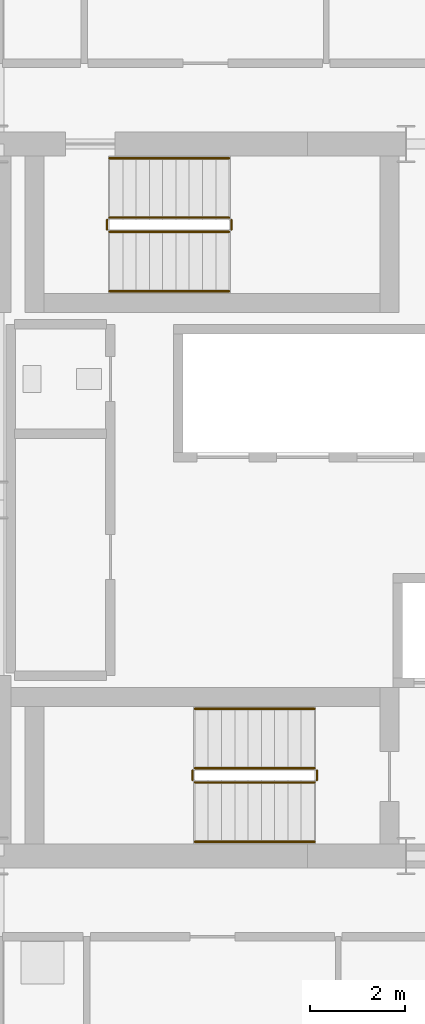
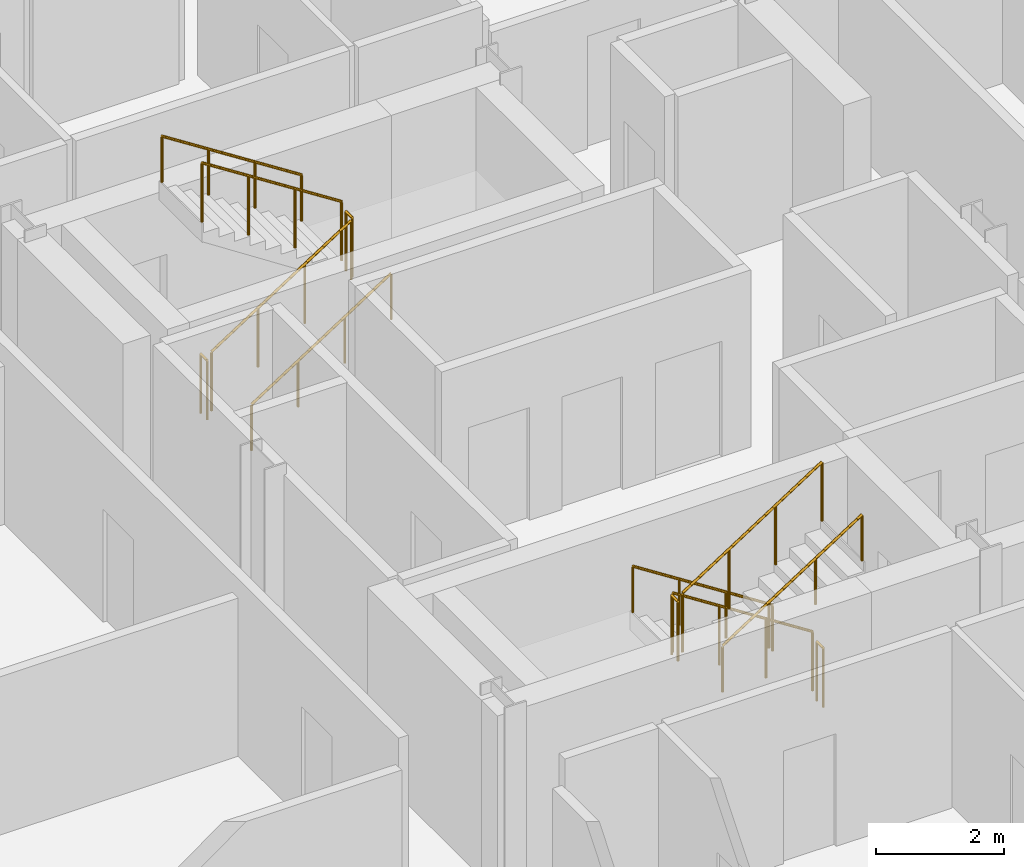
# One storey, part 22 of 23: 12 railings.
"""IFC4 building model written with IfcOpenShell, lengths in metres."""

from ifc_helpers import new_model, si_unit, direction, frame, origin, origin_2d, place, context, subcontext, project, spatial, circle, extrude, material, type_object, element, save


model = new_model("IFC4")

# Units and contexts
model_context = context("Model", 3, precision=1e-05, world=origin(), true_north=direction((0.0, 1.0)))
body_context = subcontext(model_context, "Body", "Model", "MODEL_VIEW")
ifc_project = project(units=[si_unit("LENGTHUNIT", "METRE"), si_unit("AREAUNIT", "SQUARE_METRE"), si_unit("VOLUMEUNIT", "CUBIC_METRE"), si_unit("PLANEANGLEUNIT", "RADIAN"), si_unit("MASSUNIT", "GRAM", prefix="KILO")], contexts=[model_context])

# Site, building, storey
site_placement = place(None, origin())
site = spatial("IfcSite", under=ifc_project, at=site_placement, CompositionType="ELEMENT")
building_placement = place(site_placement, origin())
building = spatial("IfcBuilding", under=site, at=building_placement, Name="Barlavira Tower and Art Museum", CompositionType="ELEMENT")
storey_placement = place(building_placement, frame((0.0, 0.0, 236.699951171875)))
storey = spatial("IfcBuildingStorey", under=building, at=storey_placement, Name="L61", CompositionType="ELEMENT", Elevation=236.699951171875)

# Railings
ifc_material = material(Name="Brushed stainless steel", Category="steel")
railing_type_1 = type_object("IfcRailingType", Name="Interior Void and Landing Guard Railing 1150", PredefinedType="GUARDRAIL", material=ifc_material)
railing_1_placement = place(storey_placement, frame((0.14990234375, -5.64990234375, 0.179931640625)))
element("IfcRailing", 1, at=railing_1_placement, inside=storey, type_object=railing_type_1, Name="L61 ST-T1 stair guard 1", PredefinedType="GUARDRAIL", context=body_context, shape_type="SweptSolid", body=[
    extrude(circle(Radius=0.02392578125, at=origin_2d()), frame((0.0, 0.0, 1.1259765625), z_axis=(-0.841162588446, 0.0, 0.540782303519), x_axis=(0.0, -1.0, 0.0)), (0.0, 0.0, 1.0), 2.995849609375),
    extrude(circle(Radius=0.02099609375, at=origin_2d()), origin(), (0.0, 0.0, 1.0), 1.101806640625),
    extrude(circle(Radius=0.02099609375, at=origin_2d()), frame((-0.840087890625, 0.0, 0.5400390625)), (0.0, 0.0, 1.0), 1.101806640625),
    extrude(circle(Radius=0.02099609375, at=origin_2d()), frame((-1.679931640625, 0.0, 1.080078125)), (0.0, 0.0, 1.0), 1.101806640625),
    extrude(circle(Radius=0.02099609375, at=origin_2d()), frame((-2.52001953125, 0.0, 1.6201171875)), (0.0, 0.0, 1.0), 1.101806640625),
])
railing_2_placement = place(storey_placement, frame((-2.419921875, -5.699951171875, 1.800048828125)))
element("IfcRailing", 2, at=railing_2_placement, inside=storey, type_object=railing_type_1, Name="L61 ST-T1 stair guard 2", PredefinedType="GUARDRAIL", context=body_context, shape_type="SweptSolid", body=[
    extrude(circle(Radius=0.02392578125, at=origin_2d()), frame((0.0, 0.0, 1.1259765625), z_axis=(0.0, -1.0, 0.0), x_axis=(1.0, 0.0, 0.0)), (0.0, 0.0, 1.0), 0.199951171875),
    extrude(circle(Radius=0.02099609375, at=origin_2d()), origin(), (0.0, 0.0, 1.0), 1.101806640625),
    extrude(circle(Radius=0.02099609375, at=origin_2d()), frame((0.0, -0.199951171875, 0.0)), (0.0, 0.0, 1.0), 1.101806640625),
])
railing_3_placement = place(storey_placement, frame((-2.3701171875, -5.949951171875, 1.97998046875)))
element("IfcRailing", 3, at=railing_3_placement, inside=storey, type_object=railing_type_1, Name="L61 ST-T1 stair guard 3", PredefinedType="GUARDRAIL", context=body_context, shape_type="SweptSolid", body=[
    extrude(circle(Radius=0.02392578125, at=origin_2d()), frame((0.0, 0.0, 1.1259765625), z_axis=(0.841162588446, 0.0, 0.540782303519), x_axis=(0.0, 1.0, 0.0)), (0.0, 0.0, 1.0), 2.995849609375),
    extrude(circle(Radius=0.02099609375, at=origin_2d()), origin(), (0.0, 0.0, 1.0), 1.101806640625),
    extrude(circle(Radius=0.02099609375, at=origin_2d()), frame((0.840087890625, 0.0, 0.5400390625)), (0.0, 0.0, 1.0), 1.101806640625),
    extrude(circle(Radius=0.02099609375, at=origin_2d()), frame((1.679931640625, 0.0, 1.080078125)), (0.0, 0.0, 1.0), 1.101806640625),
    extrude(circle(Radius=0.02099609375, at=origin_2d()), frame((2.52001953125, 0.0, 1.6201171875)), (0.0, 0.0, 1.0), 1.101806640625),
])
railing_4_placement = place(storey_placement, frame((0.199951171875, -5.699951171875, 0.0)))
element("IfcRailing", 4, at=railing_4_placement, inside=storey, type_object=railing_type_1, Name="L61 ST-T1 stair guard 4", PredefinedType="GUARDRAIL", context=body_context, shape_type="SweptSolid", body=[
    extrude(circle(Radius=0.02392578125, at=origin_2d()), frame((0.0, 0.0, 1.1259765625), z_axis=(0.0, -1.0, 0.0), x_axis=(1.0, 0.0, 0.0)), (0.0, 0.0, 1.0), 0.199951171875),
    extrude(circle(Radius=0.02099609375, at=origin_2d()), origin(), (0.0, 0.0, 1.0), 1.101806640625),
    extrude(circle(Radius=0.02099609375, at=origin_2d()), frame((0.0, -0.199951171875, 0.0)), (0.0, 0.0, 1.0), 1.101806640625),
])
railing_5_placement = place(storey_placement, frame((-4.169921875, 5.64990234375, 0.179931640625)))
element("IfcRailing", 5, at=railing_5_placement, inside=storey, type_object=railing_type_1, Name="L61 ST-T2 stair guard 1", PredefinedType="GUARDRAIL", context=body_context, shape_type="SweptSolid", body=[
    extrude(circle(Radius=0.02392578125, at=origin_2d()), frame((0.0, 0.0, 1.1259765625), z_axis=(0.841162588446, 0.0, 0.540782303519), x_axis=(0.0, 1.0, 0.0)), (0.0, 0.0, 1.0), 2.995849609375),
    extrude(circle(Radius=0.02099609375, at=origin_2d()), origin(), (0.0, 0.0, 1.0), 1.101806640625),
    extrude(circle(Radius=0.02099609375, at=origin_2d()), frame((0.840087890625, 0.0, 0.5400390625)), (0.0, 0.0, 1.0), 1.101806640625),
    extrude(circle(Radius=0.02099609375, at=origin_2d()), frame((1.679931640625, 0.0, 1.080078125)), (0.0, 0.0, 1.0), 1.101806640625),
    extrude(circle(Radius=0.02099609375, at=origin_2d()), frame((2.52001953125, 0.0, 1.6201171875)), (0.0, 0.0, 1.0), 1.101806640625),
])
railing_6_placement = place(storey_placement, frame((-1.60009765625, 5.699951171875, 1.800048828125)))
element("IfcRailing", 6, at=railing_6_placement, inside=storey, type_object=railing_type_1, Name="L61 ST-T2 stair guard 2", PredefinedType="GUARDRAIL", context=body_context, shape_type="SweptSolid", body=[
    extrude(circle(Radius=0.02392578125, at=origin_2d()), frame((0.0, 0.0, 1.1259765625), z_axis=(0.0, 1.0, 0.0), x_axis=(-1.0, 0.0, 0.0)), (0.0, 0.0, 1.0), 0.199951171875),
    extrude(circle(Radius=0.02099609375, at=origin_2d()), origin(), (0.0, 0.0, 1.0), 1.101806640625),
    extrude(circle(Radius=0.02099609375, at=origin_2d()), frame((0.0, 0.199951171875, 0.0)), (0.0, 0.0, 1.0), 1.101806640625),
])
railing_7_placement = place(storey_placement, frame((-1.64990234375, 5.949951171875, 1.97998046875)))
element("IfcRailing", 7, at=railing_7_placement, inside=storey, type_object=railing_type_1, Name="L61 ST-T2 stair guard 3", PredefinedType="GUARDRAIL", context=body_context, shape_type="SweptSolid", body=[
    extrude(circle(Radius=0.02392578125, at=origin_2d()), frame((0.0, 0.0, 1.1259765625), z_axis=(-0.841162588446, 0.0, 0.540782303519), x_axis=(0.0, -1.0, 0.0)), (0.0, 0.0, 1.0), 2.995849609375),
    extrude(circle(Radius=0.02099609375, at=origin_2d()), origin(), (0.0, 0.0, 1.0), 1.101806640625),
    extrude(circle(Radius=0.02099609375, at=origin_2d()), frame((-0.840087890625, 0.0, 0.5400390625)), (0.0, 0.0, 1.0), 1.101806640625),
    extrude(circle(Radius=0.02099609375, at=origin_2d()), frame((-1.679931640625, 0.0, 1.080078125)), (0.0, 0.0, 1.0), 1.101806640625),
    extrude(circle(Radius=0.02099609375, at=origin_2d()), frame((-2.52001953125, 0.0, 1.6201171875)), (0.0, 0.0, 1.0), 1.101806640625),
])
railing_8_placement = place(storey_placement, frame((-4.219970703125, 5.699951171875, 0.0)))
element("IfcRailing", 8, at=railing_8_placement, inside=storey, type_object=railing_type_1, Name="L61 ST-T2 stair guard 4", PredefinedType="GUARDRAIL", context=body_context, shape_type="SweptSolid", body=[
    extrude(circle(Radius=0.02392578125, at=origin_2d()), frame((0.0, 0.0, 1.1259765625), z_axis=(0.0, 1.0, 0.0), x_axis=(-1.0, 0.0, 0.0)), (0.0, 0.0, 1.0), 0.199951171875),
    extrude(circle(Radius=0.02099609375, at=origin_2d()), origin(), (0.0, 0.0, 1.0), 1.101806640625),
    extrude(circle(Radius=0.02099609375, at=origin_2d()), frame((0.0, 0.199951171875, 0.0)), (0.0, 0.0, 1.0), 1.101806640625),
])
railing_type_2 = type_object("IfcRailingType", Name="Stair Pitch Tubular Steel Handrail 920", PredefinedType="HANDRAIL", material=ifc_material)
railing_9_placement = place(storey_placement, frame((0.14990234375, -4.39990234375, 0.179931640625)))
element("IfcRailing", 9, at=railing_9_placement, inside=storey, type_object=railing_type_2, Name="L61 ST-T1 stair handrail 1", PredefinedType="HANDRAIL", context=body_context, shape_type="SweptSolid", body=[
    extrude(circle(Radius=0.02392578125, at=origin_2d()), frame((0.0, 0.0, 0.8759765625), z_axis=(-0.841162588446, 0.0, 0.540782303519), x_axis=(0.0, -1.0, 0.0)), (0.0, 0.0, 1.0), 2.995849609375),
    extrude(circle(Radius=0.02099609375, at=origin_2d()), origin(), (0.0, 0.0, 1.0), 0.851806640625),
    extrude(circle(Radius=0.02099609375, at=origin_2d()), frame((-0.840087890625, 0.0, 0.5400390625)), (0.0, 0.0, 1.0), 0.851806640625),
    extrude(circle(Radius=0.02099609375, at=origin_2d()), frame((-1.679931640625, 0.0, 1.080078125)), (0.0, 0.0, 1.0), 0.851806640625),
    extrude(circle(Radius=0.02099609375, at=origin_2d()), frame((-2.52001953125, 0.0, 1.6201171875)), (0.0, 0.0, 1.0), 0.851806640625),
])
for number, where, name in (
    (10, (-2.3701171875, -7.199951171875, 1.97998046875), "L61 ST-T1 stair handrail 2"),
    (11, (-4.169921875, 4.39990234375, 0.179931640625), "L61 ST-T2 stair handrail 1"),
):
    element("IfcRailing", number, at=place(storey_placement, frame(where)), inside=storey, type_object=railing_type_2, Name=name, PredefinedType="HANDRAIL", context=body_context, shape_type="SweptSolid", body=[
        extrude(circle(Radius=0.02392578125, at=origin_2d()), frame((0.0, 0.0, 0.8759765625), z_axis=(0.841162588446, 0.0, 0.540782303519), x_axis=(0.0, 1.0, 0.0)), (0.0, 0.0, 1.0), 2.995849609375),
        extrude(circle(Radius=0.02099609375, at=origin_2d()), origin(), (0.0, 0.0, 1.0), 0.851806640625),
        extrude(circle(Radius=0.02099609375, at=origin_2d()), frame((0.840087890625, 0.0, 0.5400390625)), (0.0, 0.0, 1.0), 0.851806640625),
        extrude(circle(Radius=0.02099609375, at=origin_2d()), frame((1.679931640625, 0.0, 1.080078125)), (0.0, 0.0, 1.0), 0.851806640625),
        extrude(circle(Radius=0.02099609375, at=origin_2d()), frame((2.52001953125, 0.0, 1.6201171875)), (0.0, 0.0, 1.0), 0.851806640625),
    ])
railing_10_placement = place(storey_placement, frame((-1.64990234375, 7.199951171875, 1.97998046875)))
element("IfcRailing", 12, at=railing_10_placement, inside=storey, type_object=railing_type_2, Name="L61 ST-T2 stair handrail 2", PredefinedType="HANDRAIL", context=body_context, shape_type="SweptSolid", body=[
    extrude(circle(Radius=0.02392578125, at=origin_2d()), frame((0.0, 0.0, 0.8759765625), z_axis=(-0.841162588446, 0.0, 0.540782303519), x_axis=(0.0, -1.0, 0.0)), (0.0, 0.0, 1.0), 2.995849609375),
    extrude(circle(Radius=0.02099609375, at=origin_2d()), origin(), (0.0, 0.0, 1.0), 0.851806640625),
    extrude(circle(Radius=0.02099609375, at=origin_2d()), frame((-0.840087890625, 0.0, 0.5400390625)), (0.0, 0.0, 1.0), 0.851806640625),
    extrude(circle(Radius=0.02099609375, at=origin_2d()), frame((-1.679931640625, 0.0, 1.080078125)), (0.0, 0.0, 1.0), 0.851806640625),
    extrude(circle(Radius=0.02099609375, at=origin_2d()), frame((-2.52001953125, 0.0, 1.6201171875)), (0.0, 0.0, 1.0), 0.851806640625),
])

save(model, "model.ifc")
